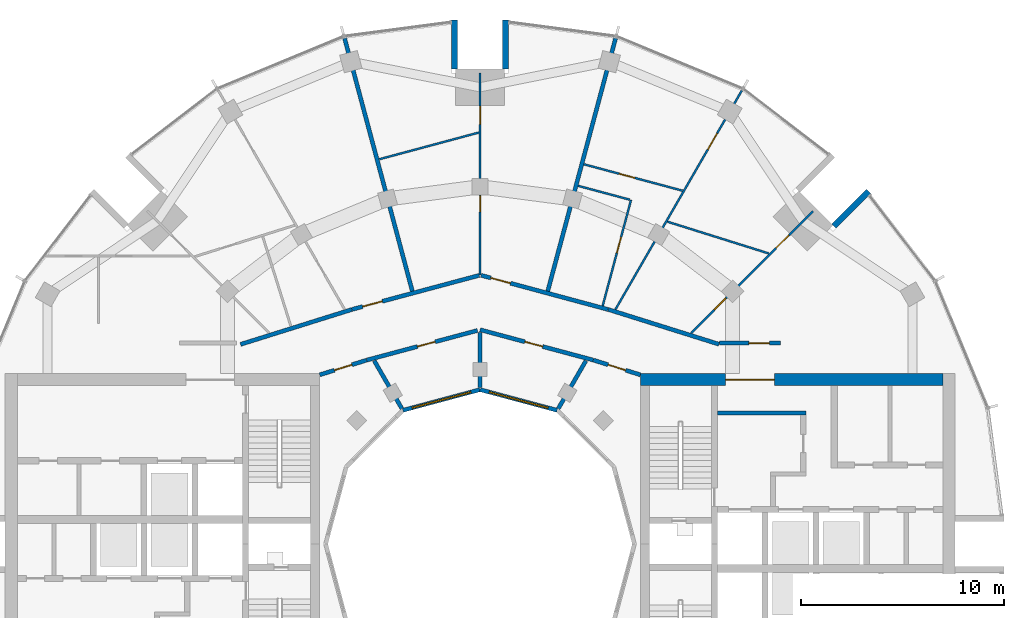
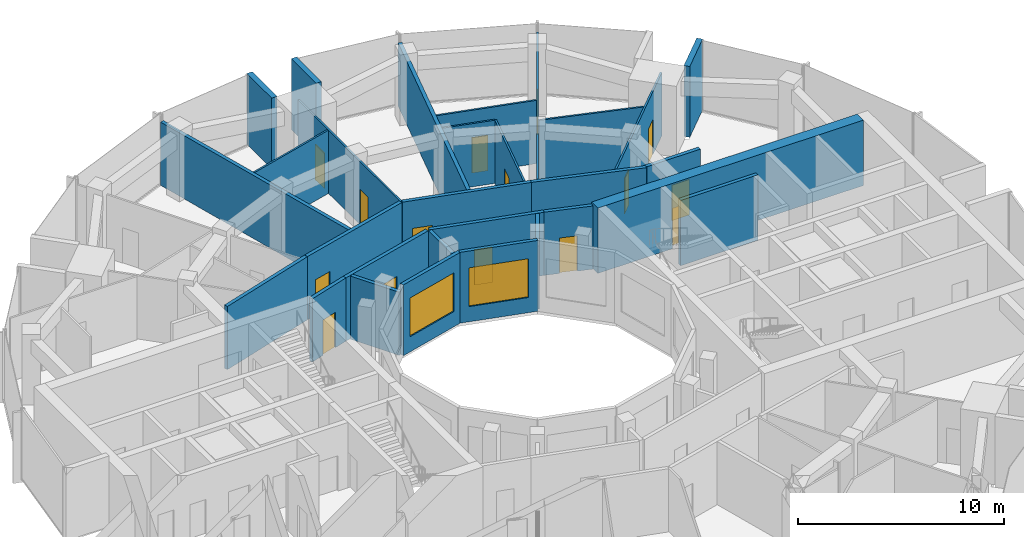
# One storey, part 12 of 15: 29 walls, 15 doors, 2 windows, 17 openings.
"""IFC4 building model written with IfcOpenShell, lengths in metres."""

import ifcopenshell
import ifcopenshell.guid

model = None  # the IFC model being written
_history = None  # IfcOwnerHistory: only IFC2X3 demands one
_inside = {}  # id of a spatial element -> (the spatial element, [elements in it])
_under = {}  # id of a project, library or spatial element -> (it, [spatial elements below it])
_declared = {}  # id of a project -> (the project, [libraries it declares])
_typed = {}  # id of a type object -> (the type object, [elements of that type])
_made_of = {}  # id of a material, layer set ... -> (it, [elements and type objects made of it])


def new_model(schema):
    """Start an empty IFC model of exactly this schema.

    Asked for "IFC4X3", IfcOpenShell would pick the latest addendum, in which some entities
    have other attributes; the version numbers below select the first issue.
    IFC2X3 requires an IfcOwnerHistory on every rooted entity: one is made here for all.
    """
    global model, _history
    if schema == "IFC4X3":
        model = ifcopenshell.file(schema_version=(4, 3, 0, 0))
    else:
        model = ifcopenshell.file(schema=schema)
    _inside.clear()
    _under.clear()
    _declared.clear()
    _typed.clear()
    _made_of.clear()
    _history = None
    if model.schema == "IFC2X3":
        org = make("IfcOrganization", Name="unknown")
        user = make(
            "IfcPersonAndOrganization",
            ThePerson=make("IfcPerson", FamilyName="unknown"),
            TheOrganization=org,
        )
        app = make(
            "IfcApplication",
            ApplicationDeveloper=org,
            Version="unknown",
            ApplicationFullName="unknown",
            ApplicationIdentifier="unknown",
        )
        _history = make(
            "IfcOwnerHistory",
            OwningUser=user,
            OwningApplication=app,
            ChangeAction="ADDED",
            CreationDate=0,
        )
    return model


def make(cls, **values):
    """One entity of the class cls with the attributes given. An attribute that is None is left unset."""
    return model.create_entity(
        cls, **{name: value for name, value in values.items() if value is not None}
    )


def rooted(cls, **values):
    """An entity with a GlobalId (a new one), such as an element, a storey or a relation."""
    return make(cls, GlobalId=ifcopenshell.guid.new(), OwnerHistory=_history, **values)


def si_unit(unit_type, name, prefix=None):
    """IfcSIUnit, for example si_unit("LENGTHUNIT", "METRE", prefix="MILLI")."""
    return make("IfcSIUnit", UnitType=unit_type, Prefix=prefix, Name=name)


def assignment(units):
    """IfcUnitAssignment: the units of a project."""
    return None if units is None else make("IfcUnitAssignment", Units=units)


def point(xyz):
    """IfcCartesianPoint."""
    return None if xyz is None else make("IfcCartesianPoint", Coordinates=xyz)


def direction(xyz):
    """IfcDirection."""
    return None if xyz is None else make("IfcDirection", DirectionRatios=xyz)


def frame(location, z_axis=None, x_axis=None):
    """IfcAxis2Placement3D, a coordinate frame: its origin and axes. An axis left out is left unset."""
    return make(
        "IfcAxis2Placement3D",
        Location=point(location),
        Axis=direction(z_axis),
        RefDirection=direction(x_axis),
    )


def frame_2d(location, x_axis=None):
    """IfcAxis2Placement2D, a coordinate frame in the plane: its origin and x axis."""
    return make(
        "IfcAxis2Placement2D", Location=point(location), RefDirection=direction(x_axis)
    )


def origin():
    """The frame at (0, 0, 0) with its axes left unset."""
    return frame((0.0, 0.0, 0.0))


def place(relative_to, where):
    """IfcLocalPlacement: puts the frame where relative to a parent placement (None: the world)."""
    return make(
        "IfcLocalPlacement", PlacementRelTo=relative_to, RelativePlacement=where
    )


def context(
    kind, dimensions, precision=None, world=None, true_north=None, identifier=None
):
    """IfcGeometricRepresentationContext, for example the 3D "Model" context."""
    return make(
        "IfcGeometricRepresentationContext",
        ContextIdentifier=identifier,
        ContextType=kind,
        CoordinateSpaceDimension=dimensions,
        Precision=precision,
        WorldCoordinateSystem=world,
        TrueNorth=true_north,
    )


def subcontext(parent, identifier, kind, view, scale=None):
    """IfcGeometricRepresentationSubContext, for example "Body" below "Model"."""
    return make(
        "IfcGeometricRepresentationSubContext",
        ContextIdentifier=identifier,
        ContextType=kind,
        ParentContext=parent,
        TargetScale=scale,
        TargetView=view,
    )


def project(units=None, contexts=None):
    """IfcProject with its units and contexts."""
    return rooted(
        "IfcProject",
        Name="project",
        RepresentationContexts=contexts,
        UnitsInContext=assignment(units),
    )


def spatial(cls, under=None, at=None, **own):
    """A site, building, storey or space (cls), placed at a placement, below another one or the project."""
    s = rooted(cls, ObjectPlacement=at, **own)
    if under is not None:
        _under.setdefault(under.id(), (under, []))[1].append(s)
    return s


def profile(cls, at=None, kind="AREA", **sizes):
    """A parametric profile (cls). Its sizes go by their IFC names, for example OverallWidth=200.0."""
    return make(cls, ProfileType=kind, Position=at, **sizes)


def rectangle(**sizes):
    """IfcRectangleProfileDef."""
    return profile("IfcRectangleProfileDef", **sizes)


def extrude(swept, where, along, depth):
    """IfcExtrudedAreaSolid: the profile swept, set in the frame where, extruded along a direction by depth."""
    return make(
        "IfcExtrudedAreaSolid",
        SweptArea=swept,
        Position=where,
        ExtrudedDirection=direction(along),
        Depth=depth,
    )


def shape(context_of_items, identifier, shape_type, items):
    """IfcShapeRepresentation: the items that make up one representation, for example the "Body"."""
    return make(
        "IfcShapeRepresentation",
        ContextOfItems=context_of_items,
        RepresentationIdentifier=identifier,
        RepresentationType=shape_type,
        Items=items,
    )


def material(Name=None, Category=None):
    """IfcMaterial."""
    return make("IfcMaterial", Name=Name, Category=Category)


def layer(
    of_material, thickness, ventilated=None, Name=None, Category=None, Priority=None
):
    """IfcMaterialLayer: one layer of a wall or slab, of a material (None: an air gap)."""
    return make(
        "IfcMaterialLayer",
        Material=of_material,
        LayerThickness=thickness,
        IsVentilated=ventilated,
        Name=Name,
        Category=Category,
        Priority=Priority,
    )


def layer_set(layers, Name=None):
    """IfcMaterialLayerSet."""
    return make("IfcMaterialLayerSet", MaterialLayers=layers, LayerSetName=Name)


def made_of(thing, what):
    """Note that an element or type object is made of a material, layer set ...; save() writes the relation."""
    if what is not None:
        _made_of.setdefault(what.id(), (what, []))[1].append(thing)
    return thing


def type_object(cls, material=None, **own):
    """A type object (cls), such as IfcWallType, which elements share."""
    return made_of(rooted(cls, **own), material)


def element(
    cls,
    number,
    at=None,
    inside=None,
    cuts=None,
    type_object=None,
    material=None,
    context=None,
    identifier="Body",
    shape_type=None,
    held_by="IfcProductDefinitionShape",
    body=None,
    shapes=None,
    **own,
):
    """One element of the class cls, such as IfcWall. Its Tag is "e" and its number.

    at: its placement. inside: the storey or other place that contains it. cuts: it is an
    opening in that element (IfcRelVoidsElement). A single representation is given by context,
    identifier, shape_type and body (its items); several are given by shapes. held_by: the class
    of the entity that holds the representations. save() writes the other relations.
    """
    e = rooted(cls, Tag="e%d" % number, ObjectPlacement=at, **own)
    if body is not None:
        shapes = [shape(context, identifier, shape_type, body)]
    if shapes is not None:
        e.Representation = make(held_by, Representations=shapes)
    if inside is not None:
        _inside.setdefault(inside.id(), (inside, []))[1].append(e)
    if cuts is not None:
        rooted(
            "IfcRelVoidsElement", RelatingBuildingElement=cuts, RelatedOpeningElement=e
        )
    if type_object is not None:
        _typed.setdefault(type_object.id(), (type_object, []))[1].append(e)
    return made_of(e, material)


def fill(opening, filler):
    """IfcRelFillsElement: the door or window that sits in an opening."""
    return rooted(
        "IfcRelFillsElement",
        RelatingOpeningElement=opening,
        RelatedBuildingElement=filler,
    )


def aggregate(whole, parts):
    """IfcRelAggregates: a whole, such as a stair, and the parts it consists of."""
    return rooted("IfcRelAggregates", RelatingObject=whole, RelatedObjects=parts)


def save(model, path):
    """Write the relations noted so far, then the file.

    IfcRelAggregates (storeys below a building ...), IfcRelContainedInSpatialStructure (elements
    in a storey), IfcRelDefinesByType, IfcRelAssociatesMaterial and IfcRelDeclares: one each for
    every whole, place, type object, material and project.
    """
    for whole, parts in _under.values():
        aggregate(whole, parts)
    for where, things in _inside.values():
        rooted(
            "IfcRelContainedInSpatialStructure",
            RelatedElements=things,
            RelatingStructure=where,
        )
    for kind, things in _typed.values():
        rooted("IfcRelDefinesByType", RelatedObjects=things, RelatingType=kind)
    for what, things in _made_of.values():
        rooted("IfcRelAssociatesMaterial", RelatedObjects=things, RelatingMaterial=what)
    for by, libraries in _declared.values():
        rooted("IfcRelDeclares", RelatingContext=by, RelatedDefinitions=libraries)
    model.write(path)


model = new_model("IFC4")

# Units and contexts
model_context = context("Model", 3, precision=1e-05, world=origin(), true_north=direction((0.0, 1.0)))
body_context = subcontext(model_context, "Body", "Model", "MODEL_VIEW")
ifc_project = project(units=[si_unit("LENGTHUNIT", "METRE"), si_unit("AREAUNIT", "SQUARE_METRE"), si_unit("VOLUMEUNIT", "CUBIC_METRE"), si_unit("PLANEANGLEUNIT", "RADIAN"), si_unit("MASSUNIT", "GRAM", prefix="KILO")], contexts=[model_context])

# Site, building, storey
site_placement = place(None, origin())
site = spatial("IfcSite", under=ifc_project, at=site_placement, CompositionType="ELEMENT")
building_placement = place(site_placement, origin())
building = spatial("IfcBuilding", under=site, at=building_placement, Name="Torre Brocal", CompositionType="ELEMENT")
storey_placement = place(building_placement, frame((0.0, 0.0, 237.300048828125)))
storey = spatial("IfcBuildingStorey", under=building, at=storey_placement, Name="L54", CompositionType="ELEMENT", Elevation=237.300048828125)

# Wall
ifc_material_1 = material(Name="Concrete C60", Category="concrete")
ifc_layer_1 = layer(ifc_material_1, 0.199951171875)
ifc_layer_set_1 = layer_set([ifc_layer_1], Name="Concrete C60")
wall_type_1 = type_object("IfcWallType", Name="CORE WALL 200 C60", PredefinedType="SHEAR", material=ifc_layer_set_1)
wall_1_placement = place(storey_placement, frame((91.699951171875, 81.449951171875, 0.0), z_axis=(0.0, 0.0, 1.0), x_axis=(1.0, 0.0, 0.0)))
element("IfcWall", 1, at=wall_1_placement, inside=storey, type_object=wall_type_1, Name="Wall CW200-60", PredefinedType="SHEAR", context=body_context, shape_type="SweptSolid", body=[
    extrude(rectangle(XDim=4.35009765625, YDim=0.199951171875, at=frame_2d((2.175048828125, 0.0))), origin(), (0.0, 0.0, 1.0), 3.8798828125),
])

# Wall, opening, door
ifc_material_2 = material(Name="Concrete C60", Category="concrete")
ifc_layer_2 = layer(ifc_material_2, 0.60009765625)
ifc_layer_set_2 = layer_set([ifc_layer_2], Name="Concrete C60")
wall_type_2 = type_object("IfcWallType", Name="CORE WALL 600 C60", PredefinedType="SHEAR", material=ifc_layer_set_2)
wall_2_placement = place(storey_placement, frame((87.89990234375, 83.10009765625, 0.0), z_axis=(0.0, 0.0, 1.0), x_axis=(1.0, 0.0, 0.0)))
wall_2 = element("IfcWall", 2, at=wall_2_placement, inside=storey, type_object=wall_type_2, Name="Wall CW600-60", PredefinedType="SHEAR", context=body_context, shape_type="SweptSolid", body=[
    extrude(rectangle(XDim=14.900146484375, YDim=0.60009765625, at=frame_2d((7.4501953125, 0.0))), origin(), (0.0, 0.0, 1.0), 3.8798828125),
])
opening_1_placement = place(wall_2_placement, frame((4.199951171875, 0.0, 0.0)))
opening_1 = element("IfcOpeningElement", 3, at=opening_1_placement, cuts=wall_2, Name="Opening E-D34", PredefinedType="OPENING", context=body_context, shape_type="SweptSolid", body=[
    extrude(rectangle(XDim=2.39990234375, YDim=2.39990234375, at=frame_2d((1.199951171875, 1.199951171875))), frame((0.0, 0.31005859375, 0.0), z_axis=(0.0, -1.0, 0.0), x_axis=(1.0, 0.0, 0.0)), (0.0, 0.0, 1.0), 0.6201171875),
])
ifc_material_3 = material(Name="Steel A653", Category="steel")
door_type_1 = type_object("IfcDoorType", Name="DOUBLE FIRE DOOR FD90 2400X2400", OperationType="DOUBLE_DOOR_SINGLE_SWING", PredefinedType="DOOR", material=ifc_material_3)
door_1_placement = place(opening_1_placement, frame((2.39990234375, 0.0, 0.0), z_axis=(0.0, 0.0, 1.0), x_axis=(-1.0, 0.0, 0.0)))
door_1 = element("IfcDoor", 4, at=door_1_placement, inside=storey, type_object=door_type_1, Name="Door E-D34", OperationType="DOUBLE_DOOR_SINGLE_SWING", OverallHeight=2.39990234375, OverallWidth=2.39990234375, PredefinedType="DOOR", context=body_context, shape_type="SweptSolid", body=[
    extrude(rectangle(XDim=2.39990234375, YDim=2.39990234375, at=frame_2d((1.199951171875, 1.199951171875))), frame((0.0, 0.02490234375, 0.0), z_axis=(0.0, -1.0, 0.0), x_axis=(1.0, 0.0, 0.0)), (0.0, 0.0, 1.0), 0.050048828125),
])
fill(opening_1, door_1)

# Walls
ifc_material_4 = material(Name="Concrete C60", Category="concrete")
ifc_layer_3 = layer(ifc_material_4, 0.300048828125)
ifc_layer_set_3 = layer_set([ifc_layer_3], Name="Concrete C60")
wall_type_3 = type_object("IfcWallType", Name="NOTCH RETURN WALL 300 C60", PredefinedType="NOTDEFINED", material=ifc_layer_set_3)
for number, where, z_axis, x_axis, name in (
    (5, (97.43017578125, 90.662353515625, 0.0), (0.0, 0.0, 1.0), (0.707106781187, 0.707106781187, 0.0), "NOTCH RETURN WALL"),
    (6, (81.25, 98.39990234375, 0.0), (0.0, 0.0, 1.0), (0.0, 1.0, 0.0), "NOTCH RETURN WALL"),
    (7, (78.75, 98.39990234375, 0.0), (0.0, 0.0, 1.0), (0.0, 1.0, 0.0), "NOTCH RETURN WALL"),
):
    element("IfcWall", number, at=place(storey_placement, frame(where, z_axis=z_axis, x_axis=x_axis)), inside=storey, type_object=wall_type_3, Name=name, PredefinedType="NOTDEFINED", context=body_context, shape_type="SweptSolid", body=[
        extrude(rectangle(XDim=2.415771484375, YDim=0.300048828125, at=frame_2d((1.2080078125, 0.0))), origin(), (0.0, 0.0, 1.0), 4.199951171875),
    ])
ifc_material_5 = material(Name="Gypsum board", Category="Gypsum")
ifc_layer_4 = layer(ifc_material_5, 0.10009765625)
ifc_layer_set_4 = layer_set([ifc_layer_4], Name="Gypsum board")
wall_type_4 = type_object("IfcWallType", Name="PARTITION 100", PredefinedType="PARTITIONING", material=ifc_layer_set_4)
wall_3_placement = place(storey_placement, frame((75.03515625, 93.95458984375, 0.0), z_axis=(0.0, 0.0, 1.0), x_axis=(0.965868648254, 0.259032342228, 0.0)))
element("IfcWall", 8, at=wall_3_placement, inside=storey, type_object=wall_type_4, Name="BATHROOM WALL", PredefinedType="PARTITIONING", context=body_context, shape_type="SweptSolid", body=[
    extrude(rectangle(XDim=5.080078125, YDim=0.10009765625, at=frame_2d((2.5400390625, 0.0))), origin(), (0.0, 0.0, 1.0), 3.75),
])

# Wall, openings, doors
wall_4_placement = place(storey_placement, frame((80.0, 88.24609375, 0.0), z_axis=(0.0, 0.0, 1.0), x_axis=(0.0, 1.0, 0.0)))
wall_4 = element("IfcWall", 9, at=wall_4_placement, inside=storey, type_object=wall_type_4, Name="BATHROOM WALL", PredefinedType="PARTITIONING", context=body_context, shape_type="SweptSolid", body=[
    extrude(rectangle(XDim=9.953857421875, YDim=0.10009765625, at=frame_2d((4.97705078125, 0.0))), origin(), (0.0, 0.0, 1.0), 3.75),
])
opening_2_placement = place(wall_4_placement, frame((7.422119140625, 0.0, 0.0)))
opening_2 = element("IfcOpeningElement", 10, at=opening_2_placement, cuts=wall_4, Name="Opening B03-D08", PredefinedType="OPENING", context=body_context, shape_type="SweptSolid", body=[
    extrude(rectangle(XDim=0.89990234375, YDim=2.10009765625, at=frame_2d((0.449951171875, 1.050048828125))), frame((0.0, 0.06005859375, 0.0), z_axis=(0.0, -1.0, 0.0), x_axis=(1.0, 0.0, 0.0)), (0.0, 0.0, 1.0), 0.1201171875),
])
opening_3_placement = place(wall_4_placement, frame((3.1201171875, 0.0, 0.0)))
opening_3 = element("IfcOpeningElement", 11, at=opening_3_placement, cuts=wall_4, Name="Opening B03-D09", PredefinedType="OPENING", context=body_context, shape_type="SweptSolid", body=[
    extrude(rectangle(XDim=0.800048828125, YDim=2.10009765625, at=frame_2d((0.39990234375, 1.050048828125))), frame((0.0, 0.06005859375, 0.0), z_axis=(0.0, -1.0, 0.0), x_axis=(1.0, 0.0, 0.0)), (0.0, 0.0, 1.0), 0.1201171875),
])
ifc_material_6 = material(Name="Timber", Category="wood")
door_type_2 = type_object("IfcDoorType", Name="BATHROOM DOOR 800X2100", OperationType="SINGLE_SWING_LEFT", PredefinedType="DOOR", material=ifc_material_6)
door_2_placement = place(opening_3_placement, origin())
door_2 = element("IfcDoor", 12, at=door_2_placement, inside=storey, type_object=door_type_2, Name="B03-D09", OperationType="SINGLE_SWING_RIGHT", OverallHeight=2.10009765625, OverallWidth=0.800048828125, PredefinedType="DOOR", context=body_context, shape_type="SweptSolid", body=[
    extrude(rectangle(XDim=0.800048828125, YDim=2.10009765625, at=frame_2d((0.39990234375, 1.050048828125))), frame((0.0, 0.02490234375, 0.0), z_axis=(0.0, -1.0, 0.0), x_axis=(1.0, 0.0, 0.0)), (0.0, 0.0, 1.0), 0.050048828125),
])
fill(opening_3, door_2)
ifc_material_7 = material(Name="Timber", Category="wood")
door_type_3 = type_object("IfcDoorType", Name="ROOM DOOR 900X2100", OperationType="SINGLE_SWING_LEFT", PredefinedType="DOOR", material=ifc_material_7)
door_3_placement = place(opening_2_placement, origin())
door_3 = element("IfcDoor", 13, at=door_3_placement, inside=storey, type_object=door_type_3, Name="B03-D08", OperationType="SINGLE_SWING_LEFT", OverallHeight=2.10009765625, OverallWidth=0.89990234375, PredefinedType="DOOR", context=body_context, shape_type="SweptSolid", body=[
    extrude(rectangle(XDim=0.89990234375, YDim=2.10009765625, at=frame_2d((0.449951171875, 1.050048828125))), frame((0.0, 0.02490234375, 0.0), z_axis=(0.0, -1.0, 0.0), x_axis=(1.0, 0.0, 0.0)), (0.0, 0.0, 1.0), 0.050048828125),
])
fill(opening_2, door_3)

# Wall
wall_5_placement = place(storey_placement, frame((84.831298828125, 92.64501953125, 0.0), z_axis=(0.0, 0.0, 1.0), x_axis=(0.965900745566, -0.258912629499, 0.0)))
element("IfcWall", 14, at=wall_5_placement, inside=storey, type_object=wall_type_4, Name="BATHROOM WALL", PredefinedType="PARTITIONING", context=body_context, shape_type="SweptSolid", body=[
    extrude(rectangle(XDim=2.649658203125, YDim=0.10009765625, at=frame_2d((1.32470703125, 0.0))), origin(), (0.0, 0.0, 1.0), 3.75),
])

# Wall, opening, door
wall_6_placement = place(storey_placement, frame((85.115966796875, 93.70703125, 0.0), z_axis=(0.0, 0.0, 1.0), x_axis=(0.965979414561, -0.258618968068, 0.0)))
wall_6 = element("IfcWall", 15, at=wall_6_placement, inside=storey, type_object=wall_type_4, Name="BATHROOM WALL", PredefinedType="PARTITIONING", context=body_context, shape_type="SweptSolid", body=[
    extrude(rectangle(XDim=5.036376953125, YDim=0.10009765625, at=frame_2d((2.51806640625, 0.0))), origin(), (0.0, 0.0, 1.0), 3.75),
])
opening_4_placement = place(wall_6_placement, frame((1.798095703125, 0.0, 0.0)))
opening_4 = element("IfcOpeningElement", 16, at=opening_4_placement, cuts=wall_6, Name="Opening B03-D06", PredefinedType="OPENING", context=body_context, shape_type="SweptSolid", body=[
    extrude(rectangle(XDim=0.800048828125, YDim=2.10009765625, at=frame_2d((0.39990234375, 1.050048828125))), frame((0.0, 0.06005859375, 0.0), z_axis=(0.0, -1.0, 0.0), x_axis=(1.0, 0.0, 0.0)), (0.0, 0.0, 1.0), 0.1201171875),
])
door_4_placement = place(opening_4_placement, origin())
door_4 = element("IfcDoor", 17, at=door_4_placement, inside=storey, type_object=door_type_2, Name="B03-D06", OperationType="SINGLE_SWING_LEFT", OverallHeight=2.10009765625, OverallWidth=0.800048828125, PredefinedType="DOOR", context=body_context, shape_type="SweptSolid", body=[
    extrude(rectangle(XDim=0.800048828125, YDim=2.10009765625, at=frame_2d((0.39990234375, 1.050048828125))), frame((0.0, 0.02490234375, 0.0), z_axis=(0.0, -1.0, 0.0), x_axis=(1.0, 0.0, 0.0)), (0.0, 0.0, 1.0), 0.050048828125),
])
fill(opening_4, door_4)

wall_7_placement = place(storey_placement, frame((86.0419921875, 86.730712890625, 0.0), z_axis=(0.0, 0.0, 1.0), x_axis=(0.258737592043, 0.96594764789, 0.0)))
wall_7 = element("IfcWall", 18, at=wall_7_placement, inside=storey, type_object=wall_type_4, Name="BATHROOM WALL", PredefinedType="PARTITIONING", context=body_context, shape_type="SweptSolid", body=[
    extrude(rectangle(XDim=5.399169921875, YDim=0.10009765625, at=frame_2d((2.69970703125, 0.0))), origin(), (0.0, 0.0, 1.0), 3.75),
])
opening_5_placement = place(wall_7_placement, frame((2.69970703125, 0.0, 0.0)))
opening_5 = element("IfcOpeningElement", 19, at=opening_5_placement, cuts=wall_7, Name="Opening B03-D05", PredefinedType="OPENING", context=body_context, shape_type="SweptSolid", body=[
    extrude(rectangle(XDim=0.800048828125, YDim=2.10009765625, at=frame_2d((0.39990234375, 1.050048828125))), frame((0.0, 0.06005859375, 0.0), z_axis=(0.0, -1.0, 0.0), x_axis=(1.0, 0.0, 0.0)), (0.0, 0.0, 1.0), 0.1201171875),
])
door_5_placement = place(opening_5_placement, origin())
door_5 = element("IfcDoor", 20, at=door_5_placement, inside=storey, type_object=door_type_2, Name="B03-D05", OperationType="SINGLE_SWING_RIGHT", OverallHeight=2.10009765625, OverallWidth=0.800048828125, PredefinedType="DOOR", context=body_context, shape_type="SweptSolid", body=[
    extrude(rectangle(XDim=0.800048828125, YDim=2.10009765625, at=frame_2d((0.39990234375, 1.050048828125))), frame((0.0, 0.02490234375, 0.0), z_axis=(0.0, -1.0, 0.0), x_axis=(1.0, 0.0, 0.0)), (0.0, 0.0, 1.0), 0.050048828125),
])
fill(opening_5, door_5)

wall_8_placement = place(storey_placement, frame((86.670654296875, 86.554443359375, 0.0), z_axis=(0.0, 0.0, 1.0), x_axis=(0.500104188531, 0.865965242151, 0.0)))
wall_8 = element("IfcWall", 21, at=wall_8_placement, inside=storey, type_object=wall_type_4, Name="BATHROOM WALL", PredefinedType="PARTITIONING", context=body_context, shape_type="SweptSolid", body=[
    extrude(rectangle(XDim=12.455810546875, YDim=0.10009765625, at=frame_2d((6.22802734375, 0.0))), origin(), (0.0, 0.0, 1.0), 3.75),
])
opening_6_placement = place(wall_8_placement, frame((9.111328125, 0.0, 0.0)))
opening_6 = element("IfcOpeningElement", 22, at=opening_6_placement, cuts=wall_8, Name="Opening B03-D04", PredefinedType="OPENING", context=body_context, shape_type="SweptSolid", body=[
    extrude(rectangle(XDim=0.89990234375, YDim=2.10009765625, at=frame_2d((0.449951171875, 1.050048828125))), frame((0.0, 0.06005859375, 0.0), z_axis=(0.0, -1.0, 0.0), x_axis=(1.0, 0.0, 0.0)), (0.0, 0.0, 1.0), 0.1201171875),
])
door_6_placement = place(opening_6_placement, frame((0.89990234375, 0.0, 0.0), z_axis=(0.0, 0.0, 1.0), x_axis=(-1.0, 0.0, 0.0)))
door_6 = element("IfcDoor", 23, at=door_6_placement, inside=storey, type_object=door_type_3, Name="B03-D04", OperationType="SINGLE_SWING_LEFT", OverallHeight=2.10009765625, OverallWidth=0.89990234375, PredefinedType="DOOR", context=body_context, shape_type="SweptSolid", body=[
    extrude(rectangle(XDim=0.89990234375, YDim=2.10009765625, at=frame_2d((0.449951171875, 1.050048828125))), frame((0.0, 0.02490234375, 0.0), z_axis=(0.0, -1.0, 0.0), x_axis=(1.0, 0.0, 0.0)), (0.0, 0.0, 1.0), 0.050048828125),
])
fill(opening_6, door_6)

# Wall
wall_9_placement = place(storey_placement, frame((89.2353515625, 90.8779296875, 0.0), z_axis=(0.0, 0.0, 1.0), x_axis=(0.954193795587, -0.299189238548, 0.0)))
element("IfcWall", 24, at=wall_9_placement, inside=storey, type_object=wall_type_4, Name="BATHROOM WALL", PredefinedType="PARTITIONING", context=body_context, shape_type="SweptSolid", body=[
    extrude(rectangle(XDim=5.229736328125, YDim=0.10009765625, at=frame_2d((2.61474609375, 0.0))), origin(), (0.0, 0.0, 1.0), 3.75),
])

# Wall, openings, doors
wall_10_placement = place(storey_placement, frame((90.396484375, 85.393310546875, 0.0), z_axis=(0.0, 0.0, 1.0), x_axis=(0.707279106146, 0.706934414221, 0.0)))
wall_10 = element("IfcWall", 25, at=wall_10_placement, inside=storey, type_object=wall_type_4, Name="BATHROOM WALL", PredefinedType="PARTITIONING", context=body_context, shape_type="SweptSolid", body=[
    extrude(rectangle(XDim=8.49951171875, YDim=0.10009765625, at=frame_2d((4.249755859375, 0.0))), origin(), (0.0, 0.0, 1.0), 3.75),
])
opening_7_placement = place(wall_10_placement, frame((5.9189453125, 0.0, 0.0)))
opening_7 = element("IfcOpeningElement", 26, at=opening_7_placement, cuts=wall_10, Name="Opening B03-D02", PredefinedType="OPENING", context=body_context, shape_type="SweptSolid", body=[
    extrude(rectangle(XDim=0.89990234375, YDim=2.10009765625, at=frame_2d((0.449951171875, 1.050048828125))), frame((0.0, 0.06005859375, 0.0), z_axis=(0.0, -1.0, 0.0), x_axis=(1.0, 0.0, 0.0)), (0.0, 0.0, 1.0), 0.1201171875),
])
opening_8_placement = place(wall_10_placement, frame((1.6171875, 0.0, 0.0)))
opening_8 = element("IfcOpeningElement", 27, at=opening_8_placement, cuts=wall_10, Name="Opening B03-D03", PredefinedType="OPENING", context=body_context, shape_type="SweptSolid", body=[
    extrude(rectangle(XDim=0.800048828125, YDim=2.10009765625, at=frame_2d((0.39990234375, 1.050048828125))), frame((0.0, 0.06005859375, 0.0), z_axis=(0.0, -1.0, 0.0), x_axis=(1.0, 0.0, 0.0)), (0.0, 0.0, 1.0), 0.1201171875),
])
door_7_placement = place(opening_8_placement, origin())
door_7 = element("IfcDoor", 28, at=door_7_placement, inside=storey, type_object=door_type_2, Name="B03-D03", OperationType="SINGLE_SWING_LEFT", OverallHeight=2.10009765625, OverallWidth=0.800048828125, PredefinedType="DOOR", context=body_context, shape_type="SweptSolid", body=[
    extrude(rectangle(XDim=0.800048828125, YDim=2.10009765625, at=frame_2d((0.39990234375, 1.050048828125))), frame((0.0, 0.02490234375, 0.0), z_axis=(0.0, -1.0, 0.0), x_axis=(1.0, 0.0, 0.0)), (0.0, 0.0, 1.0), 0.050048828125),
])
fill(opening_8, door_7)
door_8_placement = place(opening_7_placement, frame((0.89990234375, 0.0, 0.0), z_axis=(0.0, 0.0, 1.0), x_axis=(-1.0, 0.0, 0.0)))
door_8 = element("IfcDoor", 29, at=door_8_placement, inside=storey, type_object=door_type_3, Name="B03-D02", OperationType="SINGLE_SWING_LEFT", OverallHeight=2.10009765625, OverallWidth=0.89990234375, PredefinedType="DOOR", context=body_context, shape_type="SweptSolid", body=[
    extrude(rectangle(XDim=0.89990234375, YDim=2.10009765625, at=frame_2d((0.449951171875, 1.050048828125))), frame((0.0, 0.02490234375, 0.0), z_axis=(0.0, -1.0, 0.0), x_axis=(1.0, 0.0, 0.0)), (0.0, 0.0, 1.0), 0.050048828125),
])
fill(opening_7, door_8)

# Wall
ifc_material_8 = material(Name="Gypsum board", Category="Gypsum")
ifc_layer_5 = layer(ifc_material_8, 0.199951171875)
ifc_layer_set_5 = layer_set([ifc_layer_5], Name="Gypsum board")
wall_type_5 = type_object("IfcWallType", Name="PARTITION 200 EI60", PredefinedType="PARTITIONING", material=ifc_layer_set_5)
wall_11_placement = place(storey_placement, frame((68.19970703125, 84.833984375, 0.0), z_axis=(0.0, 0.0, 1.0), x_axis=(0.954272398161, 0.298938438661, 0.0)))
element("IfcWall", 30, at=wall_11_placement, inside=storey, type_object=wall_type_5, Name="FLAT ENTRANCE WALL", PredefinedType="PARTITIONING", context=body_context, shape_type="SweptSolid", body=[
    extrude(rectangle(XDim=5.740478515625, YDim=0.199951171875, at=frame_2d((2.8701171875, 0.0))), origin(), (0.0, 0.0, 1.0), 3.75),
])

# Wall, opening, door
wall_12_placement = place(storey_placement, frame((72.10009765625, 83.33203125, 0.0), z_axis=(0.0, 0.0, 1.0), x_axis=(0.954233106619, 0.299063836383, 0.0)))
wall_12 = element("IfcWall", 31, at=wall_12_placement, inside=storey, type_object=wall_type_5, Name="CORRIDOR WALL", PredefinedType="PARTITIONING", context=body_context, shape_type="SweptSolid", body=[
    extrude(rectangle(XDim=2.4140625, YDim=0.199951171875, at=frame_2d((1.20703125, 0.0))), origin(), (0.0, 0.0, 1.0), 3.75),
])
opening_9_placement = place(wall_12_placement, frame((0.761962890625, 0.0, 0.0)))
opening_9 = element("IfcOpeningElement", 32, at=opening_9_placement, cuts=wall_12, Name="Opening B03-D20", PredefinedType="OPENING", context=body_context, shape_type="SweptSolid", body=[
    extrude(rectangle(XDim=0.89990234375, YDim=2.10009765625, at=frame_2d((0.449951171875, 1.050048828125))), frame((0.0, 0.10986328125, 0.0), z_axis=(0.0, -1.0, 0.0), x_axis=(1.0, 0.0, 0.0)), (0.0, 0.0, 1.0), 0.219970703125),
])
door_9_placement = place(opening_9_placement, frame((0.89990234375, 0.0, 0.0), z_axis=(0.0, 0.0, 1.0), x_axis=(-1.0, 0.0, 0.0)))
door_9 = element("IfcDoor", 33, at=door_9_placement, inside=storey, type_object=door_type_3, Name="B03-D20", OperationType="SINGLE_SWING_RIGHT", OverallHeight=2.10009765625, OverallWidth=0.89990234375, PredefinedType="DOOR", context=body_context, shape_type="SweptSolid", body=[
    extrude(rectangle(XDim=0.89990234375, YDim=2.10009765625, at=frame_2d((0.449951171875, 1.050048828125))), frame((0.0, 0.02490234375, 0.0), z_axis=(0.0, -1.0, 0.0), x_axis=(1.0, 0.0, 0.0)), (0.0, 0.0, 1.0), 0.050048828125),
])
fill(opening_9, door_9)

# Wall
wall_13_placement = place(storey_placement, frame((73.324951171875, 99.919921875, 0.0), z_axis=(0.0, 0.0, 1.0), x_axis=(0.258745857482, -0.965945433881, 0.0)))
element("IfcWall", 34, at=wall_13_placement, inside=storey, type_object=wall_type_5, Name="BATHROOM WALL", PredefinedType="PARTITIONING", context=body_context, shape_type="SweptSolid", body=[
    extrude(rectangle(XDim=12.904052734375, YDim=0.199951171875, at=frame_2d((6.4521484375, 0.0))), origin(), (0.0, 0.0, 1.0), 3.75),
])

# Wall, opening, door
wall_14_placement = place(storey_placement, frame((73.68701171875, 86.55419921875, 0.0), z_axis=(0.0, 0.0, 1.0), x_axis=(0.96595928904, 0.258694128106, 0.0)))
wall_14 = element("IfcWall", 35, at=wall_14_placement, inside=storey, type_object=wall_type_5, Name="FLAT ENTRANCE WALL", PredefinedType="PARTITIONING", context=body_context, shape_type="SweptSolid", body=[
    extrude(rectangle(XDim=6.495849609375, YDim=0.199951171875, at=frame_2d((3.248046875, 0.0))), origin(), (0.0, 0.0, 1.0), 3.75),
])
opening_10_placement = place(wall_14_placement, frame((0.550048828125, 0.0, 0.0)))
opening_10 = element("IfcOpeningElement", 36, at=opening_10_placement, cuts=wall_14, Name="Opening B03-D10", PredefinedType="OPENING", context=body_context, shape_type="SweptSolid", body=[
    extrude(rectangle(XDim=1.0, YDim=2.10009765625, at=frame_2d((0.5, 1.050048828125))), frame((0.0, 0.10986328125, 0.0), z_axis=(0.0, -1.0, 0.0), x_axis=(1.0, 0.0, 0.0)), (0.0, 0.0, 1.0), 0.219970703125),
])
ifc_material_9 = material(Name="Timber", Category="wood")
door_type_4 = type_object("IfcDoorType", Name="FLAT ENTRY DOOR FD30S 1000X2100", OperationType="SINGLE_SWING_RIGHT", PredefinedType="DOOR", material=ifc_material_9)
door_10_placement = place(opening_10_placement, origin())
door_10 = element("IfcDoor", 37, at=door_10_placement, inside=storey, type_object=door_type_4, Name="B03-D10", OperationType="SINGLE_SWING_LEFT", OverallHeight=2.10009765625, OverallWidth=1.0, PredefinedType="DOOR", context=body_context, shape_type="SweptSolid", body=[
    extrude(rectangle(XDim=1.0, YDim=2.10009765625, at=frame_2d((0.5, 1.050048828125))), frame((0.0, 0.02490234375, 0.0), z_axis=(0.0, -1.0, 0.0), x_axis=(1.0, 0.0, 0.0)), (0.0, 0.0, 1.0), 0.050048828125),
])
fill(opening_10, door_10)

wall_15_placement = place(storey_placement, frame((74.4130859375, 84.056884765625, 0.0), z_axis=(0.0, 0.0, 1.0), x_axis=(0.965972135939, 0.258646153246, 0.0)))
wall_15 = element("IfcWall", 38, at=wall_15_placement, inside=storey, type_object=wall_type_5, Name="CORRIDOR WALL", PredefinedType="PARTITIONING", context=body_context, shape_type="SweptSolid", body=[
    extrude(rectangle(XDim=5.654052734375, YDim=0.199951171875, at=frame_2d((2.8271484375, 0.0))), origin(), (0.0, 0.0, 1.0), 3.75),
])
opening_11_placement = place(wall_15_placement, frame((2.5927734375, 0.0, 0.0)))
opening_11 = element("IfcOpeningElement", 39, at=opening_11_placement, cuts=wall_15, Name="Opening B03-D19", PredefinedType="OPENING", context=body_context, shape_type="SweptSolid", body=[
    extrude(rectangle(XDim=0.89990234375, YDim=2.10009765625, at=frame_2d((0.449951171875, 1.050048828125))), frame((0.0, 0.10986328125, 0.0), z_axis=(0.0, -1.0, 0.0), x_axis=(1.0, 0.0, 0.0)), (0.0, 0.0, 1.0), 0.219970703125),
])
door_11_placement = place(opening_11_placement, frame((0.89990234375, 0.0, 0.0), z_axis=(0.0, 0.0, 1.0), x_axis=(-1.0, 0.0, 0.0)))
door_11 = element("IfcDoor", 40, at=door_11_placement, inside=storey, type_object=door_type_3, Name="B03-D19", OperationType="SINGLE_SWING_RIGHT", OverallHeight=2.10009765625, OverallWidth=0.89990234375, PredefinedType="DOOR", context=body_context, shape_type="SweptSolid", body=[
    extrude(rectangle(XDim=0.89990234375, YDim=2.10009765625, at=frame_2d((0.449951171875, 1.050048828125))), frame((0.0, 0.02490234375, 0.0), z_axis=(0.0, -1.0, 0.0), x_axis=(1.0, 0.0, 0.0)), (0.0, 0.0, 1.0), 0.050048828125),
])
fill(opening_11, door_11)

# Walls
wall_16_placement = place(storey_placement, frame((74.787353515625, 84.027099609375, 0.0), z_axis=(0.0, 0.0, 1.0), x_axis=(0.500079107518, -0.86597972622, 0.0)))
element("IfcWall", 41, at=wall_16_placement, inside=storey, type_object=wall_type_5, Name="SERVICE ROOM WALL", PredefinedType="PARTITIONING", context=body_context, shape_type="SweptSolid", body=[
    extrude(rectangle(XDim=2.7255859375, YDim=0.199951171875, at=frame_2d((1.36279296875, 0.0))), origin(), (0.0, 0.0, 1.0), 3.75),
])
wall_17_placement = place(storey_placement, frame((80.0, 82.698974609375, 0.0), z_axis=(0.0, 0.0, 1.0), x_axis=(0.0, 1.0, 0.0)))
element("IfcWall", 42, at=wall_17_placement, inside=storey, type_object=wall_type_5, Name="SERVICE ROOM WALL", PredefinedType="PARTITIONING", context=body_context, shape_type="SweptSolid", body=[
    extrude(rectangle(XDim=2.72509765625, YDim=0.199951171875, at=frame_2d((1.362548828125, 0.0))), origin(), (0.0, 0.0, 1.0), 3.75),
])

# Wall, opening, door
wall_18_placement = place(storey_placement, frame((80.0, 85.553955078125, 0.0), z_axis=(0.0, 0.0, 1.0), x_axis=(0.965928989968, -0.258807237802, 0.0)))
wall_18 = element("IfcWall", 43, at=wall_18_placement, inside=storey, type_object=wall_type_5, Name="CORRIDOR WALL", PredefinedType="PARTITIONING", context=body_context, shape_type="SweptSolid", body=[
    extrude(rectangle(XDim=5.774169921875, YDim=0.199951171875, at=frame_2d((2.88720703125, 0.0))), origin(), (0.0, 0.0, 1.0), 3.75),
])
opening_12_placement = place(wall_18_placement, frame((2.29150390625, 0.0, 0.0)))
opening_12 = element("IfcOpeningElement", 44, at=opening_12_placement, cuts=wall_18, Name="Opening B03-D18", PredefinedType="OPENING", context=body_context, shape_type="SweptSolid", body=[
    extrude(rectangle(XDim=0.89990234375, YDim=2.10009765625, at=frame_2d((0.449951171875, 1.050048828125))), frame((0.0, 0.10986328125, 0.0), z_axis=(0.0, -1.0, 0.0), x_axis=(1.0, 0.0, 0.0)), (0.0, 0.0, 1.0), 0.219970703125),
])
door_12_placement = place(opening_12_placement, frame((0.89990234375, 0.0, 0.0), z_axis=(0.0, 0.0, 1.0), x_axis=(-1.0, 0.0, 0.0)))
door_12 = element("IfcDoor", 45, at=door_12_placement, inside=storey, type_object=door_type_3, Name="B03-D18", OperationType="SINGLE_SWING_LEFT", OverallHeight=2.10009765625, OverallWidth=0.89990234375, PredefinedType="DOOR", context=body_context, shape_type="SweptSolid", body=[
    extrude(rectangle(XDim=0.89990234375, YDim=2.10009765625, at=frame_2d((0.449951171875, 1.050048828125))), frame((0.0, 0.02490234375, 0.0), z_axis=(0.0, -1.0, 0.0), x_axis=(1.0, 0.0, 0.0)), (0.0, 0.0, 1.0), 0.050048828125),
])
fill(opening_12, door_12)

wall_19_placement = place(storey_placement, frame((80.04931640625, 88.237060546875, 0.0), z_axis=(0.0, 0.0, 1.0), x_axis=(0.965582990495, -0.260095152718, 0.0)))
wall_19 = element("IfcWall", 46, at=wall_19_placement, inside=storey, type_object=wall_type_5, Name="FLAT ENTRANCE WALL", PredefinedType="PARTITIONING", context=body_context, shape_type="SweptSolid", body=[
    extrude(rectangle(XDim=6.475830078125, YDim=0.199951171875, at=frame_2d((3.23779296875, 0.0))), origin(), (0.0, 0.0, 1.0), 3.75),
])
opening_13_placement = place(wall_19_placement, frame((0.5, 0.0, 0.0)))
opening_13 = element("IfcOpeningElement", 47, at=opening_13_placement, cuts=wall_19, Name="Opening B03-D07", PredefinedType="OPENING", context=body_context, shape_type="SweptSolid", body=[
    extrude(rectangle(XDim=1.0, YDim=2.10009765625, at=frame_2d((0.5, 1.050048828125))), frame((0.0, 0.10986328125, 0.0), z_axis=(0.0, -1.0, 0.0), x_axis=(1.0, 0.0, 0.0)), (0.0, 0.0, 1.0), 0.219970703125),
])
door_13_placement = place(opening_13_placement, origin())
door_13 = element("IfcDoor", 48, at=door_13_placement, inside=storey, type_object=door_type_4, Name="B03-D07", OperationType="SINGLE_SWING_LEFT", OverallHeight=2.10009765625, OverallWidth=1.0, PredefinedType="DOOR", context=body_context, shape_type="SweptSolid", body=[
    extrude(rectangle(XDim=1.0, YDim=2.10009765625, at=frame_2d((0.5, 1.050048828125))), frame((0.0, 0.02490234375, 0.0), z_axis=(0.0, -1.0, 0.0), x_axis=(1.0, 0.0, 0.0)), (0.0, 0.0, 1.0), 0.050048828125),
])
fill(opening_13, door_13)

# Walls
wall_20_placement = place(storey_placement, frame((83.335205078125, 87.45556640625, 0.0), z_axis=(0.0, 0.0, 1.0), x_axis=(0.259184958139, 0.965827705895, 0.0)))
element("IfcWall", 49, at=wall_20_placement, inside=storey, type_object=wall_type_5, Name="BATHROOM WALL", PredefinedType="PARTITIONING", context=body_context, shape_type="SweptSolid", body=[
    extrude(rectangle(XDim=12.90380859375, YDim=0.199951171875, at=frame_2d((6.451904296875, 0.0))), origin(), (0.0, 0.0, 1.0), 3.75),
])
wall_21_placement = place(storey_placement, frame((83.85205078125, 81.665283203125, 0.0), z_axis=(0.0, 0.0, 1.0), x_axis=(0.500185068774, 0.865918527909, 0.0)))
element("IfcWall", 50, at=wall_21_placement, inside=storey, type_object=wall_type_5, Name="PARTY PARTITION", PredefinedType="PARTITIONING", context=body_context, shape_type="SweptSolid", body=[
    extrude(rectangle(XDim=2.7255859375, YDim=0.199951171875, at=frame_2d((1.36279296875, 0.0))), origin(), (0.0, 0.0, 1.0), 3.75),
])

# Wall, opening, door
wall_22_placement = place(storey_placement, frame((85.5869140625, 84.056884765625, 0.0), z_axis=(0.0, 0.0, 1.0), x_axis=(0.954239513179, -0.299043393987, 0.0)))
wall_22 = element("IfcWall", 51, at=wall_22_placement, inside=storey, type_object=wall_type_5, Name="CORRIDOR WALL", PredefinedType="PARTITIONING", context=body_context, shape_type="SweptSolid", body=[
    extrude(rectangle(XDim=2.423828125, YDim=0.199951171875, at=frame_2d((1.2119140625, 0.0))), origin(), (0.0, 0.0, 1.0), 3.75),
])
opening_14_placement = place(wall_22_placement, frame((0.761962890625, 0.0, 0.0)))
opening_14 = element("IfcOpeningElement", 52, at=opening_14_placement, cuts=wall_22, Name="Opening B03-D17", PredefinedType="OPENING", context=body_context, shape_type="SweptSolid", body=[
    extrude(rectangle(XDim=0.89990234375, YDim=2.10009765625, at=frame_2d((0.449951171875, 1.050048828125))), frame((0.0, 0.10986328125, 0.0), z_axis=(0.0, -1.0, 0.0), x_axis=(1.0, 0.0, 0.0)), (0.0, 0.0, 1.0), 0.219970703125),
])
door_14_placement = place(opening_14_placement, frame((0.89990234375, 0.0, 0.0), z_axis=(0.0, 0.0, 1.0), x_axis=(-1.0, 0.0, 0.0)))
door_14 = element("IfcDoor", 53, at=door_14_placement, inside=storey, type_object=door_type_3, Name="B03-D17", OperationType="SINGLE_SWING_LEFT", OverallHeight=2.10009765625, OverallWidth=0.89990234375, PredefinedType="DOOR", context=body_context, shape_type="SweptSolid", body=[
    extrude(rectangle(XDim=0.89990234375, YDim=2.10009765625, at=frame_2d((0.449951171875, 1.050048828125))), frame((0.0, 0.02490234375, 0.0), z_axis=(0.0, -1.0, 0.0), x_axis=(1.0, 0.0, 0.0)), (0.0, 0.0, 1.0), 0.050048828125),
])
fill(opening_14, door_14)

# Wall
wall_23_placement = place(storey_placement, frame((86.31298828125, 86.554443359375, 0.0), z_axis=(0.0, 0.0, 1.0), x_axis=(0.954081217458, -0.299548043717, 0.0)))
element("IfcWall", 54, at=wall_23_placement, inside=storey, type_object=wall_type_5, Name="FLAT ENTRANCE WALL", PredefinedType="PARTITIONING", context=body_context, shape_type="SweptSolid", body=[
    extrude(rectangle(XDim=5.720703125, YDim=0.199951171875, at=frame_2d((2.8603515625, 0.0))), origin(), (0.0, 0.0, 1.0), 3.75),
])

# Wall, opening, door
wall_24_placement = place(storey_placement, frame((91.800048828125, 84.89990234375, 0.0), z_axis=(0.0, 0.0, 1.0), x_axis=(1.0, 0.0, 0.0)))
wall_24 = element("IfcWall", 55, at=wall_24_placement, inside=storey, type_object=wall_type_5, Name="FLAT ENTRANCE WALL", PredefinedType="PARTITIONING", context=body_context, shape_type="SweptSolid", body=[
    extrude(rectangle(XDim=3.0, YDim=0.199951171875, at=frame_2d((1.5, 0.0))), origin(), (0.0, 0.0, 1.0), 3.75),
])
opening_15_placement = place(wall_24_placement, frame((1.449951171875, 0.0, 0.0)))
opening_15 = element("IfcOpeningElement", 56, at=opening_15_placement, cuts=wall_24, Name="Opening B03-D01", PredefinedType="OPENING", context=body_context, shape_type="SweptSolid", body=[
    extrude(rectangle(XDim=1.0, YDim=2.10009765625, at=frame_2d((0.5, 1.050048828125))), frame((0.0, 0.10986328125, 0.0), z_axis=(0.0, -1.0, 0.0), x_axis=(1.0, 0.0, 0.0)), (0.0, 0.0, 1.0), 0.219970703125),
])
door_15_placement = place(opening_15_placement, origin())
door_15 = element("IfcDoor", 57, at=door_15_placement, inside=storey, type_object=door_type_4, Name="B03-D01", OperationType="SINGLE_SWING_LEFT", OverallHeight=2.10009765625, OverallWidth=1.0, PredefinedType="DOOR", context=body_context, shape_type="SweptSolid", body=[
    extrude(rectangle(XDim=1.0, YDim=2.10009765625, at=frame_2d((0.5, 1.050048828125))), frame((0.0, 0.02490234375, 0.0), z_axis=(0.0, -1.0, 0.0), x_axis=(1.0, 0.0, 0.0)), (0.0, 0.0, 1.0), 0.050048828125),
])
fill(opening_15, door_15)

# Wall, opening, window
ifc_material_10 = material(Name="Concrete C40", Category="concrete")
ifc_layer_6 = layer(ifc_material_10, 0.199951171875)
ifc_layer_set_6 = layer_set([ifc_layer_6], Name="Concrete C40")
wall_type_6 = type_object("IfcWallType", Name="WELL FACADE WALL 200", PredefinedType="NOTDEFINED", material=ifc_layer_set_6)
wall_25_placement = place(storey_placement, frame((83.8017578125, 81.5849609375, 0.0), z_axis=(0.0, 0.0, 1.0), x_axis=(-0.965933654434, 0.258789828301, 0.0)))
wall_25 = element("IfcWall", 58, at=wall_25_placement, inside=storey, type_object=wall_type_6, Name="WELL FACADE WALL", PredefinedType="NOTDEFINED", context=body_context, shape_type="SweptSolid", body=[
    extrude(rectangle(XDim=3.935791015625, YDim=0.199951171875, at=frame_2d((1.9677734375, 0.0))), origin(), (0.0, 0.0, 1.0), 4.199951171875),
])
opening_16_placement = place(wall_25_placement, frame((0.468017578125, 0.0, 0.89990234375)))
opening_16 = element("IfcOpeningElement", 59, at=opening_16_placement, cuts=wall_25, Name="Opening W1", PredefinedType="OPENING", context=body_context, shape_type="SweptSolid", body=[
    extrude(rectangle(XDim=3.0, YDim=2.300048828125, at=frame_2d((1.5, 1.14990234375))), frame((0.0, 0.10986328125, 0.0), z_axis=(0.0, -1.0, 0.0), x_axis=(1.0, 0.0, 0.0)), (0.0, 0.0, 1.0), 0.219970703125),
])
ifc_material_11 = material(Name="Aluminium and glass", Category="aluminium")
window_type = type_object("IfcWindowType", Name="WELL WINDOW 3000X2300", PartitioningType="SINGLE_PANEL", PredefinedType="WINDOW", material=ifc_material_11)
window_1_placement = place(opening_16_placement, origin())
window_1 = element("IfcWindow", 60, at=window_1_placement, inside=storey, type_object=window_type, Name="WELL WINDOW 3000X2300", OverallHeight=2.300048828125, OverallWidth=3.0, PartitioningType="SINGLE_PANEL", PredefinedType="WINDOW", context=body_context, shape_type="SweptSolid", body=[
    extrude(rectangle(XDim=3.0, YDim=2.300048828125, at=frame_2d((1.5, 1.14990234375))), frame((0.0, 0.030029296875, 0.0), z_axis=(0.0, -1.0, 0.0), x_axis=(1.0, 0.0, 0.0)), (0.0, 0.0, 1.0), 0.06005859375),
])
fill(opening_16, window_1)

wall_26_placement = place(storey_placement, frame((80.0, 82.603515625, 0.0), z_axis=(0.0, 0.0, 1.0), x_axis=(-0.965933654434, -0.258789828301, 0.0)))
wall_26 = element("IfcWall", 61, at=wall_26_placement, inside=storey, type_object=wall_type_6, Name="WELL FACADE WALL", PredefinedType="NOTDEFINED", context=body_context, shape_type="SweptSolid", body=[
    extrude(rectangle(XDim=3.935791015625, YDim=0.199951171875, at=frame_2d((1.9677734375, 0.0))), origin(), (0.0, 0.0, 1.0), 4.199951171875),
])
opening_17_placement = place(wall_26_placement, frame((0.468017578125, 0.0, 0.89990234375)))
opening_17 = element("IfcOpeningElement", 62, at=opening_17_placement, cuts=wall_26, Name="Opening W1", PredefinedType="OPENING", context=body_context, shape_type="SweptSolid", body=[
    extrude(rectangle(XDim=3.0, YDim=2.300048828125, at=frame_2d((1.5, 1.14990234375))), frame((0.0, 0.10986328125, 0.0), z_axis=(0.0, -1.0, 0.0), x_axis=(1.0, 0.0, 0.0)), (0.0, 0.0, 1.0), 0.219970703125),
])
window_2_placement = place(opening_17_placement, origin())
window_2 = element("IfcWindow", 63, at=window_2_placement, inside=storey, type_object=window_type, Name="WELL WINDOW 3000X2300", OverallHeight=2.300048828125, OverallWidth=3.0, PartitioningType="SINGLE_PANEL", PredefinedType="WINDOW", context=body_context, shape_type="SweptSolid", body=[
    extrude(rectangle(XDim=3.0, YDim=2.300048828125, at=frame_2d((1.5, 1.14990234375))), frame((0.0, 0.030029296875, 0.0), z_axis=(0.0, -1.0, 0.0), x_axis=(1.0, 0.0, 0.0)), (0.0, 0.0, 1.0), 0.06005859375),
])
fill(opening_17, window_2)

save(model, "model.ifc")
